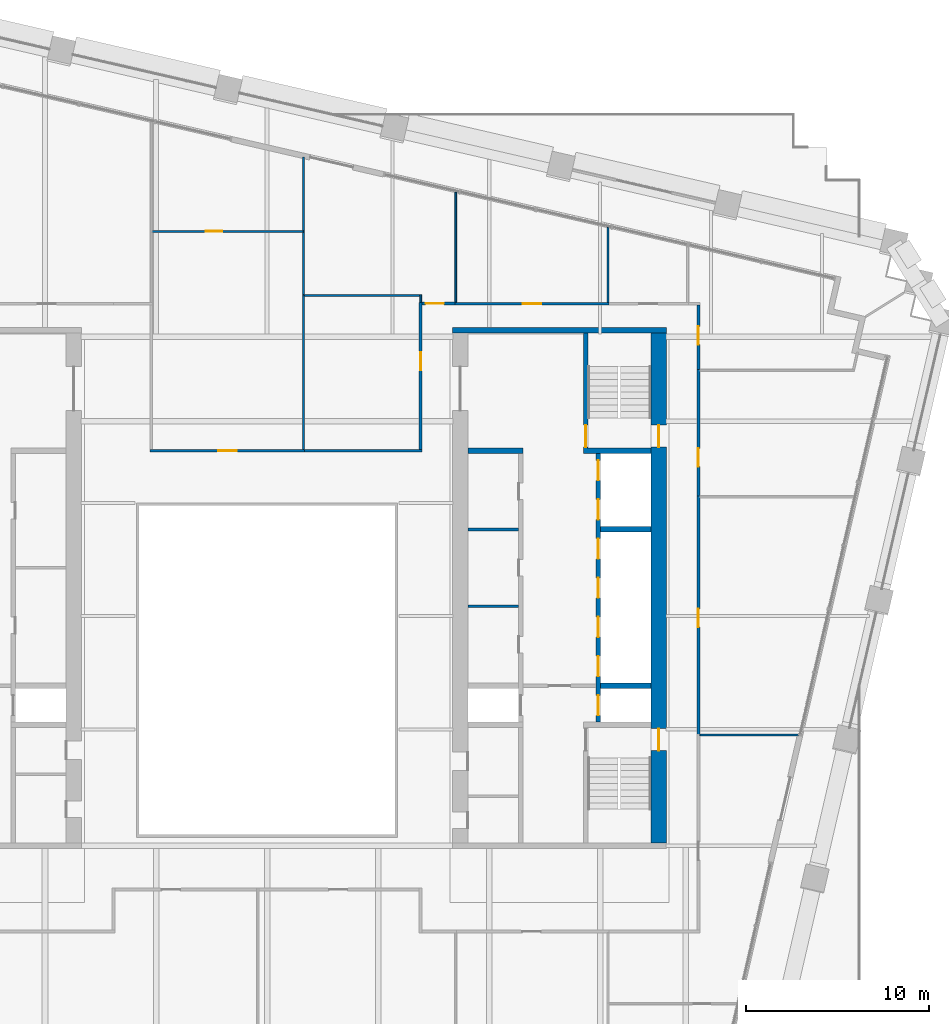
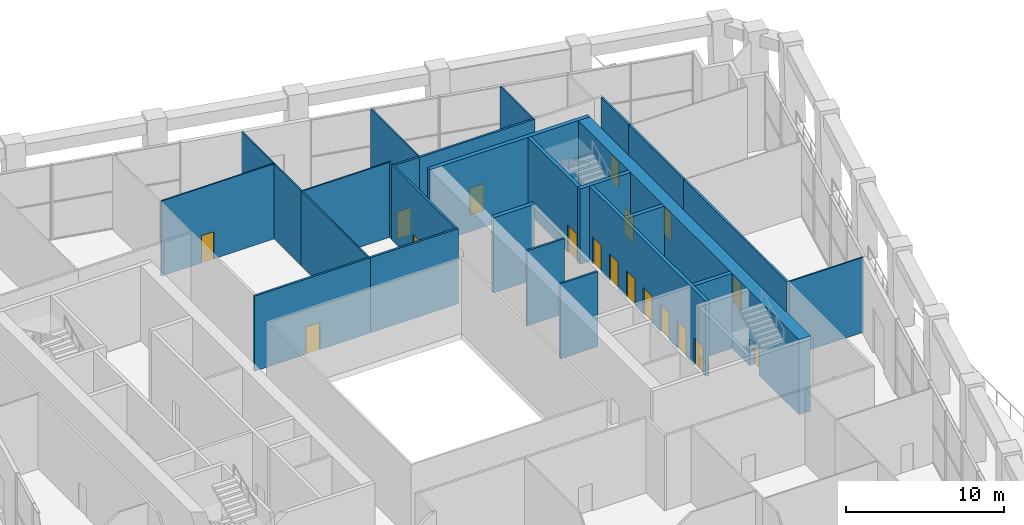
# One storey, part 18 of 23: 27 walls, 18 doors, 18 openings.
"""IFC4 building model written with IfcOpenShell, lengths in metres."""

from ifc_helpers import new_model, si_unit, direction, frame, frame_2d, origin, place, context, subcontext, project, spatial, rectangle, extrude, material, layer, layer_set, type_object, element, fill, save


model = new_model("IFC4")

# Units and contexts
model_context = context("Model", 3, precision=1e-05, world=origin(), true_north=direction((0.0, 1.0)))
body_context = subcontext(model_context, "Body", "Model", "MODEL_VIEW")
ifc_project = project(units=[si_unit("LENGTHUNIT", "METRE"), si_unit("AREAUNIT", "SQUARE_METRE"), si_unit("VOLUMEUNIT", "CUBIC_METRE"), si_unit("PLANEANGLEUNIT", "RADIAN"), si_unit("MASSUNIT", "GRAM", prefix="KILO")], contexts=[model_context])

# Site, building, storey
site_placement = place(None, origin())
site = spatial("IfcSite", under=ifc_project, at=site_placement, CompositionType="ELEMENT")
building_placement = place(site_placement, origin())
building = spatial("IfcBuilding", under=site, at=building_placement, Name="Ogive Exchange Tower", CompositionType="ELEMENT")
storey_placement = place(building_placement, frame((0.0, 0.0, 99.60009765625)))
storey = spatial("IfcBuildingStorey", under=building, at=storey_placement, Name="L21", CompositionType="ELEMENT", Elevation=99.60009765625)

# Walls
ifc_material_1 = material(Name="Gypsum board partition")
ifc_layer_1 = layer(ifc_material_1, 0.14990234375)
ifc_layer_set_1 = layer_set([ifc_layer_1], Name="Core room partition 150 gypsum")
wall_type_1 = type_object("IfcWallType", Name="Core room partition 150 gypsum", PredefinedType="PARTITIONING", material=ifc_layer_set_1)
for number, where, z_axis, x_axis, name in (
    (1, (11.0, 10.5, 0.0), (0.0, 0.0, 1.0), (1.0, 0.0, 0.0), "E row B bay partition 1-1"),
    (2, (11.0, 14.699951171875, 0.0), (0.0, 0.0, 1.0), (1.0, 0.0, 0.0), "E row B bay partition 1-2"),
):
    element("IfcWall", number, at=place(storey_placement, frame(where, z_axis=z_axis, x_axis=x_axis)), inside=storey, type_object=wall_type_1, Name=name, PredefinedType="PARTITIONING", context=body_context, shape_type="SweptSolid", body=[
        extrude(rectangle(XDim=2.75, YDim=0.14990234375, at=frame_2d((1.375, 0.0))), origin(), (0.0, 0.0, 1.0), 5.7998046875),
    ])
ifc_layer_2 = layer(ifc_material_1, 0.300048828125)
ifc_layer_set_2 = layer_set([ifc_layer_2], Name="Core room partition 300 gypsum")
wall_type_2 = type_object("IfcWallType", Name="Core room partition 300 gypsum", PredefinedType="PARTITIONING", material=ifc_layer_set_2)
wall_1_placement = place(storey_placement, frame((11.0, 19.0, 0.0), z_axis=(0.0, 0.0, 1.0), x_axis=(1.0, 0.0, 0.0)))
element("IfcWall", 3, at=wall_1_placement, inside=storey, type_object=wall_type_2, Name="E row B room end wall 7", PredefinedType="PARTITIONING", context=body_context, shape_type="SweptSolid", body=[
    extrude(rectangle(XDim=3.0, YDim=0.300048828125, at=frame_2d((1.5, 0.0))), origin(), (0.0, 0.0, 1.0), 5.7998046875),
])

# Wall, opening, door
ifc_material_2 = material(Name="Fire partition EI 60 150")
ifc_layer_3 = layer(ifc_material_2, 0.14990234375)
ifc_layer_set_3 = layer_set([ifc_layer_3], Name="Fire partition EI 60 150")
wall_type_3 = type_object("IfcWallType", Name="Fire partition EI 60 150", PredefinedType="PARTITIONING", material=ifc_layer_set_3)
wall_2_placement = place(storey_placement, frame((-6.4150390625, 19.0, 0.0), z_axis=(0.0, 0.0, 1.0), x_axis=(1.0, 0.0, 0.0)))
wall_2 = element("IfcWall", 4, at=wall_2_placement, inside=storey, type_object=wall_type_3, Name="L21-PWL-023", PredefinedType="PARTITIONING", context=body_context, shape_type="SweptSolid", body=[
    extrude(rectangle(XDim=8.455078125, YDim=0.14990234375, at=frame_2d((4.2275390625, 0.0))), origin(), (0.0, 0.0, 1.0), 5.7998046875),
])
opening_1_placement = place(wall_2_placement, frame((3.7548828125, 0.0, 0.0)))
opening_1 = element("IfcOpeningElement", 5, at=opening_1_placement, cuts=wall_2, Name="Opening L21-I03", PredefinedType="OPENING", context=body_context, shape_type="SweptSolid", body=[
    extrude(rectangle(XDim=1.0, YDim=2.10009765625, at=frame_2d((0.5, 1.050048828125))), frame((0.0, 0.0849609375, 0.0), z_axis=(0.0, -1.0, 0.0), x_axis=(1.0, 0.0, 0.0)), (0.0, 0.0, 1.0), 0.169921875),
])
ifc_material_3 = material(Name="Fire door FD 30S 1000 x 2100")
door_type_1 = type_object("IfcDoorType", Name="Fire door FD 30S 1000 x 2100", OperationType="NOTDEFINED", PredefinedType="DOOR", material=ifc_material_3)
door_1_placement = place(opening_1_placement, origin())
door_1 = element("IfcDoor", 6, at=door_1_placement, inside=storey, type_object=door_type_1, Name="L21-IDR-003", ObjectType="DT3", OperationType="SINGLE_SWING_RIGHT", OverallHeight=2.10009765625, OverallWidth=1.0, PredefinedType="DOOR", context=body_context, shape_type="SweptSolid", body=[
    extrude(rectangle(XDim=1.0, YDim=2.10009765625, at=frame_2d((0.5, 1.050048828125))), frame((0.0, 0.02490234375, 0.0), z_axis=(0.0, -1.0, 0.0), x_axis=(1.0, 0.0, 0.0)), (0.0, 0.0, 1.0), 0.050048828125),
])
fill(opening_1, door_1)

# Wall
wall_3_placement = place(storey_placement, frame((2.0400390625, 19.0, 0.0), z_axis=(0.0, 0.0, 1.0), x_axis=(1.0, 0.0, 0.0)))
element("IfcWall", 7, at=wall_3_placement, inside=storey, type_object=wall_type_3, Name="L21-PWL-030", PredefinedType="PARTITIONING", context=body_context, shape_type="SweptSolid", body=[
    extrude(rectangle(XDim=6.43505859375, YDim=0.14990234375, at=frame_2d((3.217529296875, 0.0))), origin(), (0.0, 0.0, 1.0), 5.7998046875),
])

# Wall, opening, door
wall_4_placement = place(storey_placement, frame((8.39990234375, 19.074951171875, 0.0), z_axis=(0.0, 0.0, 1.0), x_axis=(0.0, 1.0, 0.0)))
wall_4 = element("IfcWall", 8, at=wall_4_placement, inside=storey, type_object=wall_type_3, Name="L21-PWL-037", PredefinedType="PARTITIONING", context=body_context, shape_type="SweptSolid", body=[
    extrude(rectangle(XDim=8.050048828125, YDim=0.14990234375, at=frame_2d((4.02490234375, 0.0))), origin(), (0.0, 0.0, 1.0), 5.7998046875),
])
opening_2_placement = place(wall_4_placement, frame((4.324951171875, 0.0, 0.0)))
opening_2 = element("IfcOpeningElement", 9, at=opening_2_placement, cuts=wall_4, Name="Opening L21-I05", PredefinedType="OPENING", context=body_context, shape_type="SweptSolid", body=[
    extrude(rectangle(XDim=1.0, YDim=2.10009765625, at=frame_2d((0.5, 1.050048828125))), frame((0.0, 0.0849609375, 0.0), z_axis=(0.0, -1.0, 0.0), x_axis=(1.0, 0.0, 0.0)), (0.0, 0.0, 1.0), 0.169921875),
])
door_2_placement = place(opening_2_placement, origin())
door_2 = element("IfcDoor", 10, at=door_2_placement, inside=storey, type_object=door_type_1, Name="L21-IDR-005", ObjectType="DT3", OperationType="SINGLE_SWING_LEFT", OverallHeight=2.10009765625, OverallWidth=1.0, PredefinedType="DOOR", context=body_context, shape_type="SweptSolid", body=[
    extrude(rectangle(XDim=1.0, YDim=2.10009765625, at=frame_2d((0.5, 1.050048828125))), frame((0.0, 0.02490234375, 0.0), z_axis=(0.0, -1.0, 0.0), x_axis=(1.0, 0.0, 0.0)), (0.0, 0.0, 1.0), 0.050048828125),
])
fill(opening_2, door_2)

wall_5_placement = place(storey_placement, frame((8.485107421875, 27.06005859375, 0.0), z_axis=(0.0, 0.0, 1.0), x_axis=(1.0, 0.0, 0.0)))
wall_5 = element("IfcWall", 11, at=wall_5_placement, inside=storey, type_object=wall_type_3, Name="L21-PWL-039", PredefinedType="PARTITIONING", context=body_context, shape_type="SweptSolid", body=[
    extrude(rectangle(XDim=1.784912109375, YDim=0.14990234375, at=frame_2d((0.892578125, 0.0))), origin(), (0.0, 0.0, 1.0), 5.7998046875),
])
opening_3_placement = place(wall_5_placement, frame((0.18505859375, 0.0, 0.0)))
opening_3 = element("IfcOpeningElement", 12, at=opening_3_placement, cuts=wall_5, Name="Opening L21-I04", PredefinedType="OPENING", context=body_context, shape_type="SweptSolid", body=[
    extrude(rectangle(XDim=1.0, YDim=2.10009765625, at=frame_2d((0.5, 1.050048828125))), frame((0.0, 0.0849609375, 0.0), z_axis=(0.0, -1.0, 0.0), x_axis=(1.0, 0.0, 0.0)), (0.0, 0.0, 1.0), 0.169921875),
])
door_3_placement = place(opening_3_placement, origin())
door_3 = element("IfcDoor", 13, at=door_3_placement, inside=storey, type_object=door_type_1, Name="L21-IDR-004", ObjectType="DT3", OperationType="SINGLE_SWING_RIGHT", OverallHeight=2.10009765625, OverallWidth=1.0, PredefinedType="DOOR", context=body_context, shape_type="SweptSolid", body=[
    extrude(rectangle(XDim=1.0, YDim=2.10009765625, at=frame_2d((0.5, 1.050048828125))), frame((0.0, 0.02490234375, 0.0), z_axis=(0.0, -1.0, 0.0), x_axis=(1.0, 0.0, 0.0)), (0.0, 0.0, 1.0), 0.050048828125),
])
fill(opening_3, door_3)

wall_6_placement = place(storey_placement, frame((10.27001953125, 27.050048828125, 0.0), z_axis=(0.0, 0.0, 1.0), x_axis=(1.0, 0.0, 0.0)))
wall_6 = element("IfcWall", 14, at=wall_6_placement, inside=storey, type_object=wall_type_3, Name="L21-PWL-046", PredefinedType="PARTITIONING", context=body_context, shape_type="SweptSolid", body=[
    extrude(rectangle(XDim=8.429931640625, YDim=0.14990234375, at=frame_2d((4.21484375, 0.0))), origin(), (0.0, 0.0, 1.0), 5.7998046875),
])
opening_4_placement = place(wall_6_placement, frame((3.72998046875, 0.0, 0.0)))
opening_4 = element("IfcOpeningElement", 15, at=opening_4_placement, cuts=wall_6, Name="Opening L21-I10", PredefinedType="OPENING", context=body_context, shape_type="SweptSolid", body=[
    extrude(rectangle(XDim=1.0, YDim=2.10009765625, at=frame_2d((0.5, 1.050048828125))), frame((0.0, 0.0849609375, 0.0), z_axis=(0.0, -1.0, 0.0), x_axis=(1.0, 0.0, 0.0)), (0.0, 0.0, 1.0), 0.169921875),
])
door_4_placement = place(opening_4_placement, origin())
door_4 = element("IfcDoor", 16, at=door_4_placement, inside=storey, type_object=door_type_1, Name="L21-IDR-010", ObjectType="DT3", OperationType="SINGLE_SWING_LEFT", OverallHeight=2.10009765625, OverallWidth=1.0, PredefinedType="DOOR", context=body_context, shape_type="SweptSolid", body=[
    extrude(rectangle(XDim=1.0, YDim=2.10009765625, at=frame_2d((0.5, 1.050048828125))), frame((0.0, 0.02490234375, 0.0), z_axis=(0.0, -1.0, 0.0), x_axis=(1.0, 0.0, 0.0)), (0.0, 0.0, 1.0), 0.050048828125),
])
fill(opening_4, door_4)

wall_7_placement = place(storey_placement, frame((23.60009765625, 16.530029296875, 0.0), z_axis=(0.0, 0.0, 1.0), x_axis=(0.0, -1.0, 0.0)))
wall_7 = element("IfcWall", 17, at=wall_7_placement, inside=storey, type_object=wall_type_3, Name="L21-PWL-061", PredefinedType="PARTITIONING", context=body_context, shape_type="SweptSolid", body=[
    extrude(rectangle(XDim=13.080078125, YDim=0.14990234375, at=frame_2d((6.5400390625, 0.0))), origin(), (0.0, 0.0, 1.0), 5.7998046875),
])
opening_5_placement = place(wall_7_placement, frame((6.179931640625, 0.0, 0.0)))
opening_5 = element("IfcOpeningElement", 18, at=opening_5_placement, cuts=wall_7, Name="Opening L21-I15", PredefinedType="OPENING", context=body_context, shape_type="SweptSolid", body=[
    extrude(rectangle(XDim=1.0, YDim=2.10009765625, at=frame_2d((0.5, 1.050048828125))), frame((0.0, 0.0849609375, 0.0), z_axis=(0.0, -1.0, 0.0), x_axis=(1.0, 0.0, 0.0)), (0.0, 0.0, 1.0), 0.169921875),
])
door_5_placement = place(opening_5_placement, origin())
door_5 = element("IfcDoor", 19, at=door_5_placement, inside=storey, type_object=door_type_1, Name="L21-IDR-015", ObjectType="DT3", OperationType="SINGLE_SWING_RIGHT", OverallHeight=2.10009765625, OverallWidth=1.0, PredefinedType="DOOR", context=body_context, shape_type="SweptSolid", body=[
    extrude(rectangle(XDim=1.0, YDim=2.10009765625, at=frame_2d((0.5, 1.050048828125))), frame((0.0, 0.02490234375, 0.0), z_axis=(0.0, -1.0, 0.0), x_axis=(1.0, 0.0, 0.0)), (0.0, 0.0, 1.0), 0.050048828125),
])
fill(opening_5, door_5)

wall_8_placement = place(storey_placement, frame((23.60009765625, 23.4599609375, 0.0), z_axis=(0.0, 0.0, 1.0), x_axis=(0.0, -1.0, 0.0)))
wall_8 = element("IfcWall", 20, at=wall_8_placement, inside=storey, type_object=wall_type_3, Name="L21-PWL-063", PredefinedType="PARTITIONING", context=body_context, shape_type="SweptSolid", body=[
    extrude(rectangle(XDim=6.929931640625, YDim=0.14990234375, at=frame_2d((3.46484375, 0.0))), origin(), (0.0, 0.0, 1.0), 5.7998046875),
])
opening_6_placement = place(wall_8_placement, frame((4.330078125, 0.0, 0.0)))
opening_6 = element("IfcOpeningElement", 21, at=opening_6_placement, cuts=wall_8, Name="Opening L21-I17", PredefinedType="OPENING", context=body_context, shape_type="SweptSolid", body=[
    extrude(rectangle(XDim=1.0, YDim=2.10009765625, at=frame_2d((0.5, 1.050048828125))), frame((0.0, 0.0849609375, 0.0), z_axis=(0.0, -1.0, 0.0), x_axis=(1.0, 0.0, 0.0)), (0.0, 0.0, 1.0), 0.169921875),
])
door_6_placement = place(opening_6_placement, origin())
door_6 = element("IfcDoor", 22, at=door_6_placement, inside=storey, type_object=door_type_1, Name="L21-IDR-017", ObjectType="DT3", OperationType="SINGLE_SWING_LEFT", OverallHeight=2.10009765625, OverallWidth=1.0, PredefinedType="DOOR", context=body_context, shape_type="SweptSolid", body=[
    extrude(rectangle(XDim=1.0, YDim=2.10009765625, at=frame_2d((0.5, 1.050048828125))), frame((0.0, 0.02490234375, 0.0), z_axis=(0.0, -1.0, 0.0), x_axis=(1.0, 0.0, 0.0)), (0.0, 0.0, 1.0), 0.050048828125),
])
fill(opening_6, door_6)

wall_9_placement = place(storey_placement, frame((23.60009765625, 26.97509765625, 0.0), z_axis=(0.0, 0.0, 1.0), x_axis=(0.0, -1.0, 0.0)))
wall_9 = element("IfcWall", 23, at=wall_9_placement, inside=storey, type_object=wall_type_3, Name="L21-PWL-065", PredefinedType="PARTITIONING", context=body_context, shape_type="SweptSolid", body=[
    extrude(rectangle(XDim=3.51513671875, YDim=0.14990234375, at=frame_2d((1.757568359375, 0.0))), origin(), (0.0, 0.0, 1.0), 5.7998046875),
])
opening_7_placement = place(wall_9_placement, frame((1.1650390625, 0.0, 0.0)))
opening_7 = element("IfcOpeningElement", 24, at=opening_7_placement, cuts=wall_9, Name="Opening L21-I18", PredefinedType="OPENING", context=body_context, shape_type="SweptSolid", body=[
    extrude(rectangle(XDim=1.0, YDim=2.10009765625, at=frame_2d((0.5, 1.050048828125))), frame((0.0, 0.0849609375, 0.0), z_axis=(0.0, -1.0, 0.0), x_axis=(1.0, 0.0, 0.0)), (0.0, 0.0, 1.0), 0.169921875),
])
door_7_placement = place(opening_7_placement, origin())
door_7 = element("IfcDoor", 25, at=door_7_placement, inside=storey, type_object=door_type_1, Name="L21-IDR-018", ObjectType="DT3", OperationType="SINGLE_SWING_LEFT", OverallHeight=2.10009765625, OverallWidth=1.0, PredefinedType="DOOR", context=body_context, shape_type="SweptSolid", body=[
    extrude(rectangle(XDim=1.0, YDim=2.10009765625, at=frame_2d((0.5, 1.050048828125))), frame((0.0, 0.02490234375, 0.0), z_axis=(0.0, -1.0, 0.0), x_axis=(1.0, 0.0, 0.0)), (0.0, 0.0, 1.0), 0.050048828125),
])
fill(opening_7, door_7)

# Wall
ifc_material_4 = material(Name="Partition 100 gypsum")
ifc_layer_4 = layer(ifc_material_4, 0.10009765625)
ifc_layer_set_4 = layer_set([ifc_layer_4], Name="Partition 100 gypsum")
wall_type_4 = type_object("IfcWallType", Name="Partition 100 gypsum", PredefinedType="PARTITIONING", material=ifc_layer_set_4)
wall_10_placement = place(storey_placement, frame((1.989990234375, 27.550048828125, 0.0), z_axis=(0.0, 0.0, 1.0), x_axis=(0.0, -1.0, 0.0)))
element("IfcWall", 26, at=wall_10_placement, inside=storey, type_object=wall_type_4, Name="L21-PWL-031", PredefinedType="PARTITIONING", context=body_context, shape_type="SweptSolid", body=[
    extrude(rectangle(XDim=8.47509765625, YDim=0.10009765625, at=frame_2d((4.237548828125, 0.0))), origin(), (0.0, 0.0, 1.0), 5.7998046875),
])

# Wall, opening, door
wall_11_placement = place(storey_placement, frame((2.0400390625, 31.0, 0.0), z_axis=(0.0, 0.0, 1.0), x_axis=(-1.0, 0.0, 0.0)))
wall_11 = element("IfcWall", 27, at=wall_11_placement, inside=storey, type_object=wall_type_4, Name="L21-PWL-032", PredefinedType="PARTITIONING", context=body_context, shape_type="SweptSolid", body=[
    extrude(rectangle(XDim=8.330078125, YDim=0.10009765625, at=frame_2d((4.1650390625, 0.0))), origin(), (0.0, 0.0, 1.0), 5.7998046875),
])
opening_8_placement = place(wall_11_placement, frame((4.5, 0.0, 0.0)))
opening_8 = element("IfcOpeningElement", 28, at=opening_8_placement, cuts=wall_11, Name="Opening L21-I02", PredefinedType="OPENING", context=body_context, shape_type="SweptSolid", body=[
    extrude(rectangle(XDim=0.89990234375, YDim=2.10009765625, at=frame_2d((0.449951171875, 1.050048828125))), frame((0.0, 0.06005859375, 0.0), z_axis=(0.0, -1.0, 0.0), x_axis=(1.0, 0.0, 0.0)), (0.0, 0.0, 1.0), 0.1201171875),
])
ifc_material_5 = material(Name="Door 900 x 2100")
door_type_2 = type_object("IfcDoorType", Name="Door 900 x 2100", OperationType="NOTDEFINED", PredefinedType="DOOR", material=ifc_material_5)
door_8_placement = place(opening_8_placement, frame((0.89990234375, 0.0, 0.0), z_axis=(0.0, 0.0, 1.0), x_axis=(-1.0, 0.0, 0.0)))
door_8 = element("IfcDoor", 29, at=door_8_placement, inside=storey, type_object=door_type_2, Name="L21-IDR-002", ObjectType="DT1", OperationType="SINGLE_SWING_RIGHT", OverallHeight=2.10009765625, OverallWidth=0.89990234375, PredefinedType="DOOR", context=body_context, shape_type="SweptSolid", body=[
    extrude(rectangle(XDim=0.89990234375, YDim=2.10009765625, at=frame_2d((0.449951171875, 1.050048828125))), frame((0.0, 0.02490234375, 0.0), z_axis=(0.0, -1.0, 0.0), x_axis=(1.0, 0.0, 0.0)), (0.0, 0.0, 1.0), 0.050048828125),
])
fill(opening_8, door_8)

# Walls
wall_12_placement = place(storey_placement, frame((1.989990234375, 30.949951171875, 0.0), z_axis=(0.0, 0.0, 1.0), x_axis=(0.0, -1.0, 0.0)))
element("IfcWall", 30, at=wall_12_placement, inside=storey, type_object=wall_type_4, Name="L21-PWL-033", PredefinedType="PARTITIONING", context=body_context, shape_type="SweptSolid", body=[
    extrude(rectangle(XDim=3.39990234375, YDim=0.10009765625, at=frame_2d((1.699951171875, 0.0))), origin(), (0.0, 0.0, 1.0), 5.7998046875),
])
wall_13_placement = place(storey_placement, frame((1.989990234375, 35.06494140625, 0.0), z_axis=(0.0, 0.0, 1.0), x_axis=(0.0, -1.0, 0.0)))
element("IfcWall", 31, at=wall_13_placement, inside=storey, type_object=wall_type_4, Name="L21-PWL-034", PredefinedType="PARTITIONING", context=body_context, shape_type="SweptSolid", body=[
    extrude(rectangle(XDim=4.014892578125, YDim=0.10009765625, at=frame_2d((2.00732421875, 0.0))), origin(), (0.0, 0.0, 1.0), 5.7998046875),
])
wall_14_placement = place(storey_placement, frame((8.409912109375, 27.125, 0.0), z_axis=(0.0, 0.0, 1.0), x_axis=(0.0, 1.0, 0.0)))
element("IfcWall", 32, at=wall_14_placement, inside=storey, type_object=wall_type_4, Name="L21-PWL-038", PredefinedType="PARTITIONING", context=body_context, shape_type="SweptSolid", body=[
    extrude(rectangle(XDim=0.425048828125, YDim=0.10009765625, at=frame_2d((0.21240234375, 0.0))), origin(), (0.0, 0.0, 1.0), 5.7998046875),
])
wall_15_placement = place(storey_placement, frame((8.360107421875, 27.5, 0.0), z_axis=(0.0, 0.0, 1.0), x_axis=(-1.0, 0.0, 0.0)))
element("IfcWall", 33, at=wall_15_placement, inside=storey, type_object=wall_type_4, Name="L21-PWL-040", PredefinedType="PARTITIONING", context=body_context, shape_type="SweptSolid", body=[
    extrude(rectangle(XDim=6.320068359375, YDim=0.10009765625, at=frame_2d((3.16015625, 0.0))), origin(), (0.0, 0.0, 1.0), 5.7998046875),
])
wall_16_placement = place(storey_placement, frame((10.320068359375, 33.14208984375, 0.0), z_axis=(0.0, 0.0, 1.0), x_axis=(0.0, -1.0, 0.0)))
element("IfcWall", 34, at=wall_16_placement, inside=storey, type_object=wall_type_4, Name="L21-PWL-047", PredefinedType="PARTITIONING", context=body_context, shape_type="SweptSolid", body=[
    extrude(rectangle(XDim=6.007080078125, YDim=0.10009765625, at=frame_2d((3.00341796875, 0.0))), origin(), (0.0, 0.0, 1.0), 5.7998046875),
])
wall_17_placement = place(storey_placement, frame((18.64990234375, 31.218994140625, 0.0), z_axis=(0.0, 0.0, 1.0), x_axis=(0.0, -1.0, 0.0)))
element("IfcWall", 35, at=wall_17_placement, inside=storey, type_object=wall_type_4, Name="L21-PWL-055", PredefinedType="PARTITIONING", context=body_context, shape_type="SweptSolid", body=[
    extrude(rectangle(XDim=4.093994140625, YDim=0.10009765625, at=frame_2d((2.046875, 0.0))), origin(), (0.0, 0.0, 1.0), 5.7998046875),
])
wall_18_placement = place(storey_placement, frame((23.675048828125, 3.449951171875, 0.0), z_axis=(0.0, 0.0, 1.0), x_axis=(1.0, 0.0, 0.0)))
element("IfcWall", 36, at=wall_18_placement, inside=storey, type_object=wall_type_4, Name="L21-PWL-060", PredefinedType="PARTITIONING", context=body_context, shape_type="SweptSolid", body=[
    extrude(rectangle(XDim=5.4150390625, YDim=0.10009765625, at=frame_2d((2.70751953125, 0.0))), origin(), (0.0, 0.0, 1.0), 5.7998046875),
])

# Wall, opening, door
ifc_material_6 = material(Name="Concrete C70/85", Category="concrete")
ifc_layer_5 = layer(ifc_material_6, 0.25)
ifc_layer_set_5 = layer_set([ifc_layer_5], Name="RC core wall 250 C70/85")
wall_type_5 = type_object("IfcWallType", Name="RC core wall 250 C70/85", PredefinedType="SHEAR", material=ifc_layer_set_5)
wall_19_placement = place(storey_placement, frame((17.425048828125, 19.14990234375, 0.0), z_axis=(0.0, 0.0, 1.0), x_axis=(0.0, 1.0, 0.0)))
wall_19 = element("IfcWall", 37, at=wall_19_placement, inside=storey, type_object=wall_type_5, Name="E stair N front wall", PredefinedType="SHEAR", context=body_context, shape_type="SweptSolid", body=[
    extrude(rectangle(XDim=6.300048828125, YDim=0.25, at=frame_2d((3.14990234375, 0.0))), origin(), (0.0, 0.0, 1.0), 5.7998046875),
])
opening_9_placement = place(wall_19_placement, frame((0.050048828125, 0.0, 0.0)))
opening_9 = element("IfcOpeningElement", 38, at=opening_9_placement, cuts=wall_19, Name="Opening L21-C34", PredefinedType="OPENING", context=body_context, shape_type="SweptSolid", body=[
    extrude(rectangle(XDim=1.199951171875, YDim=2.10009765625, at=frame_2d((0.60009765625, 1.050048828125))), frame((0.0, 0.135009765625, 0.0), z_axis=(0.0, -1.0, 0.0), x_axis=(1.0, 0.0, 0.0)), (0.0, 0.0, 1.0), 0.27001953125),
])
ifc_material_7 = material(Name="Steel fire door", Category="steel")
door_type_3 = type_object("IfcDoorType", Name="Stair door FD90 1200 x 2100", OperationType="NOTDEFINED", PredefinedType="DOOR", material=ifc_material_7)
door_9_placement = place(opening_9_placement, frame((1.199951171875, 0.0, 0.0), z_axis=(0.0, 0.0, 1.0), x_axis=(-1.0, 0.0, 0.0)))
door_9 = element("IfcDoor", 39, at=door_9_placement, inside=storey, type_object=door_type_3, Name="Stair door", ObjectType="CD5", OperationType="SINGLE_SWING_LEFT", OverallHeight=2.10009765625, OverallWidth=1.199951171875, PredefinedType="DOOR", context=body_context, shape_type="SweptSolid", body=[
    extrude(rectangle(XDim=1.199951171875, YDim=2.10009765625, at=frame_2d((0.60009765625, 1.050048828125))), frame((0.0, 0.02490234375, 0.0), z_axis=(0.0, -1.0, 0.0), x_axis=(1.0, 0.0, 0.0)), (0.0, 0.0, 1.0), 0.050048828125),
])
fill(opening_9, door_9)

# Wall, openings, doors
wall_20_placement = place(storey_placement, frame((18.125, 4.14990234375, 0.0), z_axis=(0.0, 0.0, 1.0), x_axis=(0.0, 1.0, 0.0)))
wall_20 = element("IfcWall", 40, at=wall_20_placement, inside=storey, type_object=wall_type_5, Name="E row A front wall", PredefinedType="SHEAR", context=body_context, shape_type="SweptSolid", body=[
    extrude(rectangle(XDim=14.7001953125, YDim=0.25, at=frame_2d((7.35009765625, 0.0))), origin(), (0.0, 0.0, 1.0), 5.7998046875),
])
opening_10_placement = place(wall_20_placement, frame((0.371337890625, 0.0, 0.0)))
opening_10 = element("IfcOpeningElement", 41, at=opening_10_placement, cuts=wall_20, Name="Opening L21-C19", PredefinedType="OPENING", context=body_context, shape_type="SweptSolid", body=[
    extrude(rectangle(XDim=1.10009765625, YDim=2.10009765625, at=frame_2d((0.550048828125, 1.050048828125))), frame((0.0, 0.135009765625, 0.0), z_axis=(0.0, -1.0, 0.0), x_axis=(1.0, 0.0, 0.0)), (0.0, 0.0, 1.0), 0.27001953125),
])
opening_11_placement = place(wall_20_placement, frame((2.514404296875, 0.0, 0.0)))
opening_11 = element("IfcOpeningElement", 42, at=opening_11_placement, cuts=wall_20, Name="Opening L21-C20", PredefinedType="OPENING", context=body_context, shape_type="SweptSolid", body=[
    extrude(rectangle(XDim=1.10009765625, YDim=2.10009765625, at=frame_2d((0.550048828125, 1.050048828125))), frame((0.0, 0.135009765625, 0.0), z_axis=(0.0, -1.0, 0.0), x_axis=(1.0, 0.0, 0.0)), (0.0, 0.0, 1.0), 0.27001953125),
])
opening_12_placement = place(wall_20_placement, frame((4.656982421875, 0.0, 0.0)))
opening_12 = element("IfcOpeningElement", 43, at=opening_12_placement, cuts=wall_20, Name="Opening L21-C21", PredefinedType="OPENING", context=body_context, shape_type="SweptSolid", body=[
    extrude(rectangle(XDim=1.10009765625, YDim=2.10009765625, at=frame_2d((0.550048828125, 1.050048828125))), frame((0.0, 0.135009765625, 0.0), z_axis=(0.0, -1.0, 0.0), x_axis=(1.0, 0.0, 0.0)), (0.0, 0.0, 1.0), 0.27001953125),
])
opening_13_placement = place(wall_20_placement, frame((6.800048828125, 0.0, 0.0)))
opening_13 = element("IfcOpeningElement", 44, at=opening_13_placement, cuts=wall_20, Name="Opening L21-C22", PredefinedType="OPENING", context=body_context, shape_type="SweptSolid", body=[
    extrude(rectangle(XDim=1.10009765625, YDim=2.10009765625, at=frame_2d((0.550048828125, 1.050048828125))), frame((0.0, 0.135009765625, 0.0), z_axis=(0.0, -1.0, 0.0), x_axis=(1.0, 0.0, 0.0)), (0.0, 0.0, 1.0), 0.27001953125),
])
opening_14_placement = place(wall_20_placement, frame((8.94287109375, 0.0, 0.0)))
opening_14 = element("IfcOpeningElement", 45, at=opening_14_placement, cuts=wall_20, Name="Opening L21-C23", PredefinedType="OPENING", context=body_context, shape_type="SweptSolid", body=[
    extrude(rectangle(XDim=1.10009765625, YDim=2.10009765625, at=frame_2d((0.550048828125, 1.050048828125))), frame((0.0, 0.135009765625, 0.0), z_axis=(0.0, -1.0, 0.0), x_axis=(1.0, 0.0, 0.0)), (0.0, 0.0, 1.0), 0.27001953125),
])
opening_15_placement = place(wall_20_placement, frame((11.085693359375, 0.0, 0.0)))
opening_15 = element("IfcOpeningElement", 46, at=opening_15_placement, cuts=wall_20, Name="Opening L21-C24", PredefinedType="OPENING", context=body_context, shape_type="SweptSolid", body=[
    extrude(rectangle(XDim=1.10009765625, YDim=2.10009765625, at=frame_2d((0.550048828125, 1.050048828125))), frame((0.0, 0.135009765625, 0.0), z_axis=(0.0, -1.0, 0.0), x_axis=(1.0, 0.0, 0.0)), (0.0, 0.0, 1.0), 0.27001953125),
])
opening_16_placement = place(wall_20_placement, frame((13.228515625, 0.0, 0.0)))
opening_16 = element("IfcOpeningElement", 47, at=opening_16_placement, cuts=wall_20, Name="Opening L21-C25", PredefinedType="OPENING", context=body_context, shape_type="SweptSolid", body=[
    extrude(rectangle(XDim=1.10009765625, YDim=2.10009765625, at=frame_2d((0.550048828125, 1.050048828125))), frame((0.0, 0.135009765625, 0.0), z_axis=(0.0, -1.0, 0.0), x_axis=(1.0, 0.0, 0.0)), (0.0, 0.0, 1.0), 0.27001953125),
])
ifc_material_8 = material(Name="Stainless steel", Category="steel")
door_type_4 = type_object("IfcDoorType", Name="Lift landing door FD90 1100 x 2100", OperationType="SLIDING_TO_LEFT", PredefinedType="DOOR", material=ifc_material_8)
door_10_placement = place(opening_10_placement, origin())
door_10 = element("IfcDoor", 48, at=door_10_placement, inside=storey, type_object=door_type_4, Name="Lift landing door FF2", ObjectType="LD", OperationType="SLIDING_TO_LEFT", OverallHeight=2.10009765625, OverallWidth=1.10009765625, PredefinedType="DOOR", context=body_context, shape_type="SweptSolid", body=[
    extrude(rectangle(XDim=1.10009765625, YDim=2.10009765625, at=frame_2d((0.550048828125, 1.050048828125))), frame((0.0, 0.02490234375, 0.0), z_axis=(0.0, -1.0, 0.0), x_axis=(1.0, 0.0, 0.0)), (0.0, 0.0, 1.0), 0.050048828125),
])
fill(opening_10, door_10)
door_11_placement = place(opening_11_placement, origin())
door_11 = element("IfcDoor", 49, at=door_11_placement, inside=storey, type_object=door_type_4, Name="Lift landing door E-L1", ObjectType="LD", OperationType="SLIDING_TO_LEFT", OverallHeight=2.10009765625, OverallWidth=1.10009765625, PredefinedType="DOOR", context=body_context, shape_type="SweptSolid", body=[
    extrude(rectangle(XDim=1.10009765625, YDim=2.10009765625, at=frame_2d((0.550048828125, 1.050048828125))), frame((0.0, 0.02490234375, 0.0), z_axis=(0.0, -1.0, 0.0), x_axis=(1.0, 0.0, 0.0)), (0.0, 0.0, 1.0), 0.050048828125),
])
fill(opening_11, door_11)
door_12_placement = place(opening_12_placement, origin())
door_12 = element("IfcDoor", 50, at=door_12_placement, inside=storey, type_object=door_type_4, Name="Lift landing door E-L2", ObjectType="LD", OperationType="SLIDING_TO_LEFT", OverallHeight=2.10009765625, OverallWidth=1.10009765625, PredefinedType="DOOR", context=body_context, shape_type="SweptSolid", body=[
    extrude(rectangle(XDim=1.10009765625, YDim=2.10009765625, at=frame_2d((0.550048828125, 1.050048828125))), frame((0.0, 0.02490234375, 0.0), z_axis=(0.0, -1.0, 0.0), x_axis=(1.0, 0.0, 0.0)), (0.0, 0.0, 1.0), 0.050048828125),
])
fill(opening_12, door_12)
door_13_placement = place(opening_13_placement, origin())
door_13 = element("IfcDoor", 51, at=door_13_placement, inside=storey, type_object=door_type_4, Name="Lift landing door E-L3", ObjectType="LD", OperationType="SLIDING_TO_LEFT", OverallHeight=2.10009765625, OverallWidth=1.10009765625, PredefinedType="DOOR", context=body_context, shape_type="SweptSolid", body=[
    extrude(rectangle(XDim=1.10009765625, YDim=2.10009765625, at=frame_2d((0.550048828125, 1.050048828125))), frame((0.0, 0.02490234375, 0.0), z_axis=(0.0, -1.0, 0.0), x_axis=(1.0, 0.0, 0.0)), (0.0, 0.0, 1.0), 0.050048828125),
])
fill(opening_13, door_13)
door_14_placement = place(opening_14_placement, origin())
door_14 = element("IfcDoor", 52, at=door_14_placement, inside=storey, type_object=door_type_4, Name="Lift landing door E-L4", ObjectType="LD", OperationType="SLIDING_TO_LEFT", OverallHeight=2.10009765625, OverallWidth=1.10009765625, PredefinedType="DOOR", context=body_context, shape_type="SweptSolid", body=[
    extrude(rectangle(XDim=1.10009765625, YDim=2.10009765625, at=frame_2d((0.550048828125, 1.050048828125))), frame((0.0, 0.02490234375, 0.0), z_axis=(0.0, -1.0, 0.0), x_axis=(1.0, 0.0, 0.0)), (0.0, 0.0, 1.0), 0.050048828125),
])
fill(opening_14, door_14)
door_15_placement = place(opening_15_placement, origin())
door_15 = element("IfcDoor", 53, at=door_15_placement, inside=storey, type_object=door_type_4, Name="Lift landing door E-SH1", ObjectType="LD", OperationType="SLIDING_TO_LEFT", OverallHeight=2.10009765625, OverallWidth=1.10009765625, PredefinedType="DOOR", context=body_context, shape_type="SweptSolid", body=[
    extrude(rectangle(XDim=1.10009765625, YDim=2.10009765625, at=frame_2d((0.550048828125, 1.050048828125))), frame((0.0, 0.02490234375, 0.0), z_axis=(0.0, -1.0, 0.0), x_axis=(1.0, 0.0, 0.0)), (0.0, 0.0, 1.0), 0.050048828125),
])
fill(opening_15, door_15)
door_16_placement = place(opening_16_placement, origin())
door_16 = element("IfcDoor", 54, at=door_16_placement, inside=storey, type_object=door_type_4, Name="Lift landing door E-SH2", ObjectType="LD", OperationType="SLIDING_TO_LEFT", OverallHeight=2.10009765625, OverallWidth=1.10009765625, PredefinedType="DOOR", context=body_context, shape_type="SweptSolid", body=[
    extrude(rectangle(XDim=1.10009765625, YDim=2.10009765625, at=frame_2d((0.550048828125, 1.050048828125))), frame((0.0, 0.02490234375, 0.0), z_axis=(0.0, -1.0, 0.0), x_axis=(1.0, 0.0, 0.0)), (0.0, 0.0, 1.0), 0.050048828125),
])
fill(opening_16, door_16)

# Walls
ifc_layer_6 = layer(ifc_material_6, 0.300048828125)
ifc_layer_set_6 = layer_set([ifc_layer_6], Name="RC core wall 300 C70/85")
wall_type_6 = type_object("IfcWallType", Name="RC core wall 300 C70/85", PredefinedType="SHEAR", material=ifc_layer_set_6)
wall_21_placement = place(storey_placement, frame((10.14990234375, 25.60009765625, 0.0), z_axis=(0.0, 0.0, 1.0), x_axis=(1.0, 0.0, 0.0)))
element("IfcWall", 55, at=wall_21_placement, inside=storey, type_object=wall_type_6, Name="E north end wall", PredefinedType="SHEAR", context=body_context, shape_type="SweptSolid", body=[
    extrude(rectangle(XDim=11.7001953125, YDim=0.300048828125, at=frame_2d((5.85009765625, 0.0))), origin(), (0.0, 0.0, 1.0), 5.7998046875),
])
wall_22_placement = place(storey_placement, frame((17.300048828125, 19.0, 0.0), z_axis=(0.0, 0.0, 1.0), x_axis=(1.0, 0.0, 0.0)))
element("IfcWall", 56, at=wall_22_placement, inside=storey, type_object=wall_type_6, Name="E stair N south wall", PredefinedType="SHEAR", context=body_context, shape_type="SweptSolid", body=[
    extrude(rectangle(XDim=3.699951171875, YDim=0.300048828125, at=frame_2d((1.85009765625, 0.0))), origin(), (0.0, 0.0, 1.0), 5.7998046875),
])
for number, where, z_axis, x_axis, name in (
    (57, (18.25, 6.142822265625, 0.0), (0.0, 0.0, 1.0), (1.0, 0.0, 0.0), "E row A divider 1"),
    (58, (18.25, 14.71435546875, 0.0), (0.0, 0.0, 1.0), (1.0, 0.0, 0.0), "E row A divider 5"),
):
    element("IfcWall", number, at=place(storey_placement, frame(where, z_axis=z_axis, x_axis=x_axis)), inside=storey, type_object=wall_type_6, Name=name, PredefinedType="SHEAR", context=body_context, shape_type="SweptSolid", body=[
        extrude(rectangle(XDim=2.75, YDim=0.300048828125, at=frame_2d((1.375, 0.0))), origin(), (0.0, 0.0, 1.0), 5.7998046875),
    ])

# Wall, openings, doors
ifc_layer_7 = layer(ifc_material_6, 0.85009765625)
ifc_layer_set_7 = layer_set([ifc_layer_7], Name="RC core wall 850 C70/85")
wall_type_7 = type_object("IfcWallType", Name="RC core wall 850 C70/85", PredefinedType="SHEAR", material=ifc_layer_set_7)
wall_23_placement = place(storey_placement, frame((21.425048828125, -2.449951171875, 0.0), z_axis=(0.0, 0.0, 1.0), x_axis=(0.0, 1.0, 0.0)))
wall_23 = element("IfcWall", 59, at=wall_23_placement, inside=storey, type_object=wall_type_7, Name="E outer wall", PredefinedType="SHEAR", context=body_context, shape_type="SweptSolid", body=[
    extrude(rectangle(XDim=27.89990234375, YDim=0.85009765625, at=frame_2d((13.949951171875, 0.0))), origin(), (0.0, 0.0, 1.0), 5.7998046875),
])
opening_17_placement = place(wall_23_placement, frame((5.050048828125, 0.0, 0.0)))
opening_17 = element("IfcOpeningElement", 60, at=opening_17_placement, cuts=wall_23, Name="Opening L21-C33", PredefinedType="OPENING", context=body_context, shape_type="SweptSolid", body=[
    extrude(rectangle(XDim=1.199951171875, YDim=2.10009765625, at=frame_2d((0.60009765625, 1.050048828125))), frame((0.0, 0.43505859375, 0.0), z_axis=(0.0, -1.0, 0.0), x_axis=(1.0, 0.0, 0.0)), (0.0, 0.0, 1.0), 0.8701171875),
])
opening_18_placement = place(wall_23_placement, frame((21.64990234375, 0.0, 0.0)))
opening_18 = element("IfcOpeningElement", 61, at=opening_18_placement, cuts=wall_23, Name="Opening L21-C35", PredefinedType="OPENING", context=body_context, shape_type="SweptSolid", body=[
    extrude(rectangle(XDim=1.199951171875, YDim=2.10009765625, at=frame_2d((0.60009765625, 1.050048828125))), frame((0.0, 0.43505859375, 0.0), z_axis=(0.0, -1.0, 0.0), x_axis=(1.0, 0.0, 0.0)), (0.0, 0.0, 1.0), 0.8701171875),
])
door_17_placement = place(opening_17_placement, origin())
door_17 = element("IfcDoor", 62, at=door_17_placement, inside=storey, type_object=door_type_3, Name="Stair door", ObjectType="CD5", OperationType="SINGLE_SWING_LEFT", OverallHeight=2.10009765625, OverallWidth=1.199951171875, PredefinedType="DOOR", context=body_context, shape_type="SweptSolid", body=[
    extrude(rectangle(XDim=1.199951171875, YDim=2.10009765625, at=frame_2d((0.60009765625, 1.050048828125))), frame((0.0, 0.02490234375, 0.0), z_axis=(0.0, -1.0, 0.0), x_axis=(1.0, 0.0, 0.0)), (0.0, 0.0, 1.0), 0.050048828125),
])
fill(opening_17, door_17)
door_18_placement = place(opening_18_placement, origin())
door_18 = element("IfcDoor", 63, at=door_18_placement, inside=storey, type_object=door_type_3, Name="Stair door", ObjectType="CD5", OperationType="SINGLE_SWING_RIGHT", OverallHeight=2.10009765625, OverallWidth=1.199951171875, PredefinedType="DOOR", context=body_context, shape_type="SweptSolid", body=[
    extrude(rectangle(XDim=1.199951171875, YDim=2.10009765625, at=frame_2d((0.60009765625, 1.050048828125))), frame((0.0, 0.02490234375, 0.0), z_axis=(0.0, -1.0, 0.0), x_axis=(1.0, 0.0, 0.0)), (0.0, 0.0, 1.0), 0.050048828125),
])
fill(opening_18, door_18)

save(model, "model.ifc")
